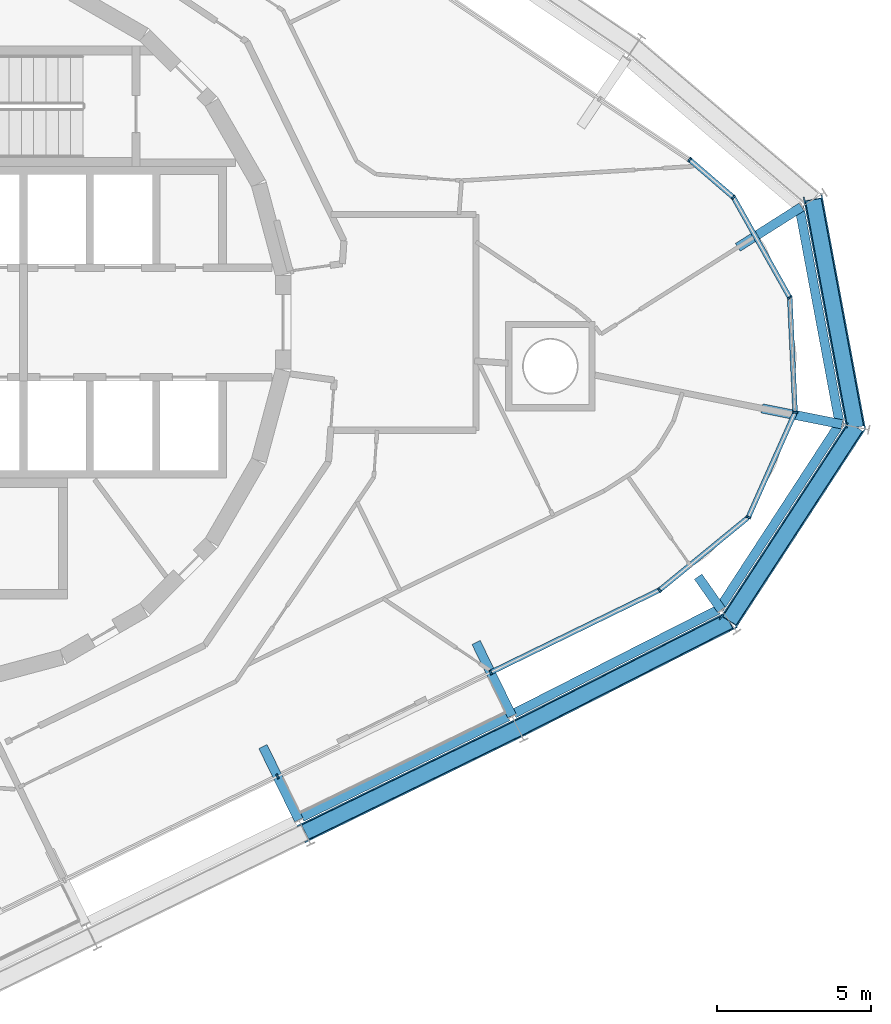
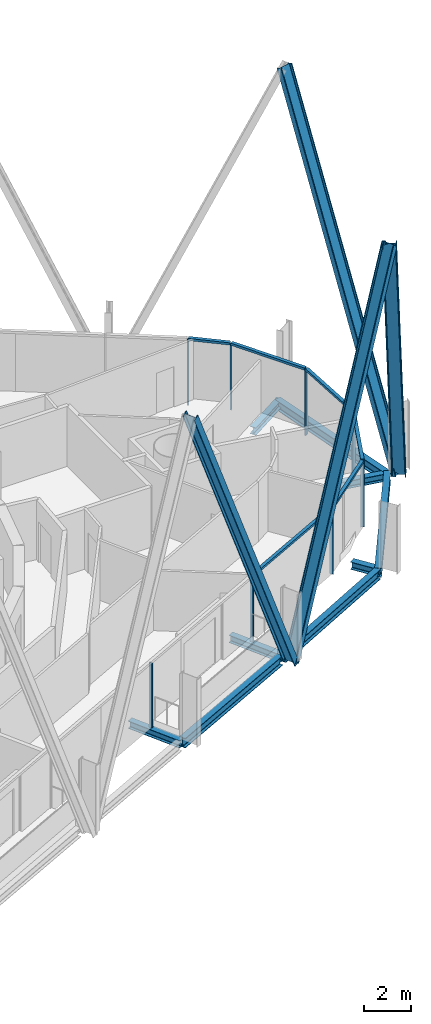
# One storey, part 5 of 18: 18 members, 9 beams, 2 elements without a shape of their own.
"""IFC4 building model written with IfcOpenShell, lengths in metres."""

from ifc_helpers import new_model, si_unit, direction, frame, origin, origin_2d, place, context, subcontext, project, spatial, rectangle, i_section, extrude, material, layer, layer_set, material_profile, profile_set, type_object, element, aggregate, save


model = new_model("IFC4")

# Units and contexts
model_context = context("Model", 3, precision=1e-05, world=origin(), true_north=direction((0.0, 1.0)))
body_context = subcontext(model_context, "Body", "Model", "MODEL_VIEW")
ifc_project = project(units=[si_unit("LENGTHUNIT", "METRE"), si_unit("AREAUNIT", "SQUARE_METRE"), si_unit("VOLUMEUNIT", "CUBIC_METRE"), si_unit("PLANEANGLEUNIT", "RADIAN"), si_unit("MASSUNIT", "GRAM", prefix="KILO")], contexts=[model_context])

# Site, building, storey
site_placement = place(None, origin())
site = spatial("IfcSite", under=ifc_project, at=site_placement, CompositionType="ELEMENT")
building_placement = place(site_placement, origin())
building = spatial("IfcBuilding", under=site, at=building_placement, Name="Spindle Arch Residences", CompositionType="ELEMENT")
storey_placement = place(building_placement, frame((0.0, 0.0, 202.39990234375)))
storey = spatial("IfcBuildingStorey", under=building, at=storey_placement, Name="L51", CompositionType="ELEMENT", Elevation=202.39990234375)

# Curtain wall, members
ifc_material_1 = material(Name="Aluminium bronze unitised frame with tinted glass", Category="aluminium")
ifc_layer_1 = layer(ifc_material_1, 0.159912109375)
ifc_layer_set_1 = layer_set([ifc_layer_1], Name="CW-D corner wall on the fillet arcs")
curtain_wall_type_1 = type_object("IfcCurtainWallType", Name="CW-D corner wall on the fillet arcs", PredefinedType="NOTDEFINED", material=ifc_layer_set_1)
curtain_wall_1_placement = place(storey_placement, origin())
curtain_wall_1 = element("IfcCurtainWall", 1, at=curtain_wall_1_placement, inside=storey, type_object=curtain_wall_type_1, Name="CW-D L51 run 1", PredefinedType="NOTDEFINED")
ifc_material_2 = material(Name="Aluminium bronze anodised mullion", Category="aluminium")
ifc_material_profile_1 = material_profile(ifc_material_2, rectangle(XDim=0.159912109375, YDim=0.06005859375, at=origin_2d()), Name="MU 60x160")
ifc_profile_set_1 = profile_set([ifc_material_profile_1], Name="Aluminium bronze anodised mullion")
member_type_1 = type_object("IfcMemberType", Name="Bronze mullion 60x160", PredefinedType="MULLION", material=ifc_profile_set_1)
member_1_placement = place(storey_placement, frame((18.377685546875, -11.353515625, -0.3798828125), z_axis=(0.0, 0.0, 1.0), x_axis=(-0.438371146789, 0.898794046299, 0.0)))
member_1 = element("IfcMember", 2, at=member_1_placement, type_object=member_type_1, Name="CW-D mullion 00", PredefinedType="MULLION", context=body_context, shape_type="SweptSolid", body=[
    extrude(rectangle(XDim=0.159912109375, YDim=0.06005859375, at=origin_2d()), origin(), (0.0, 0.0, 1.0), 3.3798828125),
])
member_2_placement = place(storey_placement, frame((23.85400390625, -8.6826171875, -0.3798828125), z_axis=(0.0, 0.0, 1.0), x_axis=(-0.633830963722, 0.773471595747, 0.0)))
member_2 = element("IfcMember", 3, at=member_2_placement, type_object=member_type_1, Name="CW-D mullion 01", PredefinedType="MULLION", context=body_context, shape_type="SweptSolid", body=[
    extrude(rectangle(XDim=0.159912109375, YDim=0.06005859375, at=origin_2d()), origin(), (0.0, 0.0, 1.0), 3.3798828125),
])
member_3_placement = place(storey_placement, frame((26.736572265625, -6.320556640625, -0.3798828125), z_axis=(0.0, 0.0, 1.0), x_axis=(-0.913545457934, 0.406736642422, 0.0)))
member_3 = element("IfcMember", 4, at=member_3_placement, type_object=member_type_1, Name="CW-D mullion 02", PredefinedType="MULLION", context=body_context, shape_type="SweptSolid", body=[
    extrude(rectangle(XDim=0.159912109375, YDim=0.06005859375, at=origin_2d()), origin(), (0.0, 0.0, 1.0), 3.3798828125),
])
member_4_placement = place(storey_placement, frame((28.252197265625, -2.916015625, -0.3798828125), z_axis=(0.0, 0.0, 1.0), x_axis=(-0.99891711126, -0.046525313877, 0.0)))
member_4 = element("IfcMember", 5, at=member_4_placement, type_object=member_type_1, Name="CW-D mullion 03", PredefinedType="MULLION", context=body_context, shape_type="SweptSolid", body=[
    extrude(rectangle(XDim=0.159912109375, YDim=0.06005859375, at=origin_2d()), origin(), (0.0, 0.0, 1.0), 3.3798828125),
])
member_5_placement = place(storey_placement, frame((28.078857421875, 0.806884765625, -0.3798828125), z_axis=(0.0, 0.0, 1.0), x_axis=(-0.871784414743, -0.489889716377, 0.0)))
member_5 = element("IfcMember", 6, at=member_5_placement, type_object=member_type_1, Name="CW-D mullion 04", PredefinedType="MULLION", context=body_context, shape_type="SweptSolid", body=[
    extrude(rectangle(XDim=0.159912109375, YDim=0.06005859375, at=origin_2d()), origin(), (0.0, 0.0, 1.0), 3.3798828125),
])
member_6_placement = place(storey_placement, frame((26.253173828125, 4.0556640625, -0.3798828125), z_axis=(0.0, 0.0, 1.0), x_axis=(-0.651657229382, -0.758513582867, 0.0)))
member_6 = element("IfcMember", 7, at=member_6_placement, type_object=member_type_1, Name="CW-D mullion 05", PredefinedType="MULLION", context=body_context, shape_type="SweptSolid", body=[
    extrude(rectangle(XDim=0.159912109375, YDim=0.06005859375, at=origin_2d()), origin(), (0.0, 0.0, 1.0), 3.3798828125),
])
member_7_placement = place(storey_placement, frame((24.830078125, 5.2783203125, -0.3798828125), z_axis=(0.0, 0.0, 1.0), x_axis=(-0.559192903471, -0.829037572555, 0.0)))
member_7 = element("IfcMember", 8, at=member_7_placement, type_object=member_type_1, Name="CW-D mullion 06", PredefinedType="MULLION", context=body_context, shape_type="SweptSolid", body=[
    extrude(rectangle(XDim=0.159912109375, YDim=0.06005859375, at=origin_2d()), origin(), (0.0, 0.0, 1.0), 3.3798828125),
])

# Curtain wall, member
ifc_material_3 = material(Name="Aluminium bronze unitised frame with tinted glass", Category="aluminium")
ifc_layer_2 = layer(ifc_material_3, 0.159912109375)
ifc_layer_set_2 = layer_set([ifc_layer_2], Name="CW-C typical residential unitised wall")
curtain_wall_type_2 = type_object("IfcCurtainWallType", Name="CW-C typical residential unitised wall", PredefinedType="NOTDEFINED", material=ifc_layer_set_2)
curtain_wall_2_placement = place(storey_placement, origin())
curtain_wall_2 = element("IfcCurtainWall", 9, at=curtain_wall_2_placement, inside=storey, type_object=curtain_wall_type_2, Name="CW-C L51 run 6", PredefinedType="NOTDEFINED")
member_8_placement = place(storey_placement, frame((11.46240234375, -14.726318359375, -0.3798828125), z_axis=(0.0, 0.0, 1.0), x_axis=(-0.438371146789, 0.898794046299, 0.0)))
member_8 = element("IfcMember", 10, at=member_8_placement, type_object=member_type_1, Name="CW-C mullion 00", PredefinedType="MULLION", context=body_context, shape_type="SweptSolid", body=[
    extrude(rectangle(XDim=0.159912109375, YDim=0.06005859375, at=origin_2d()), origin(), (0.0, 0.0, 1.0), 3.3798828125),
])
aggregate(curtain_wall_2, [member_8])

# Member
ifc_material_4 = material(Name="Aluminium bronze anodised transom", Category="aluminium")
ifc_material_profile_2 = material_profile(ifc_material_4, rectangle(XDim=0.159912109375, YDim=0.1201171875, at=origin_2d()), Name="TR 120x160")
ifc_profile_set_2 = profile_set([ifc_material_profile_2], Name="Aluminium bronze anodised transom")
member_type_2 = type_object("IfcMemberType", Name="Bronze transom 120x160", PredefinedType="USERDEFINED", material=ifc_profile_set_2)
member_9_placement = place(storey_placement, frame((18.404541015625, -11.340576171875, 3.06005859375), z_axis=(0.898786724344, 0.438386158704, 0.0), x_axis=(-0.438386158704, 0.898786724344, 0.0)))
member_9 = element("IfcMember", 11, at=member_9_placement, type_object=member_type_2, Name="CW-D transom 00", ObjectType="TRANSOM", PredefinedType="USERDEFINED", context=body_context, shape_type="SweptSolid", body=[
    extrude(rectangle(XDim=0.159912109375, YDim=0.1201171875, at=origin_2d()), origin(), (0.0, 0.0, 1.0), 6.032958984375),
])

member_10_placement = place(storey_placement, frame((23.877197265625, -8.66357421875, 3.06005859375), z_axis=(0.773494307947, 0.633803246737, 0.0), x_axis=(-0.633803246737, 0.773494307947, 0.0)))
member_10 = element("IfcMember", 12, at=member_10_placement, type_object=member_type_2, Name="CW-D transom 01", ObjectType="TRANSOM", PredefinedType="USERDEFINED", context=body_context, shape_type="SweptSolid", body=[
    extrude(rectangle(XDim=0.159912109375, YDim=0.1201171875, at=origin_2d()), origin(), (0.0, 0.0, 1.0), 3.666748046875),
])

member_11_placement = place(storey_placement, frame((26.748779296875, -6.29296875, 3.06005859375), z_axis=(0.406706770356, 0.913558757249, 0.0), x_axis=(-0.913558757249, 0.406706770356, 0.0)))
member_11 = element("IfcMember", 13, at=member_11_placement, type_object=member_type_2, Name="CW-D transom 02", ObjectType="TRANSOM", PredefinedType="USERDEFINED", context=body_context, shape_type="SweptSolid", body=[
    extrude(rectangle(XDim=0.159912109375, YDim=0.1201171875, at=origin_2d()), origin(), (0.0, 0.0, 1.0), 3.66650390625),
])

member_12_placement = place(storey_placement, frame((28.2509765625, -2.885986328125, 3.06005859375), z_axis=(-0.046540197037, 0.998916417955, 0.0), x_axis=(-0.998916417955, -0.046540197037, 0.0)))
member_12 = element("IfcMember", 14, at=member_12_placement, type_object=member_type_2, Name="CW-D transom 03", ObjectType="TRANSOM", PredefinedType="USERDEFINED", context=body_context, shape_type="SweptSolid", body=[
    extrude(rectangle(XDim=0.159912109375, YDim=0.1201171875, at=origin_2d()), origin(), (0.0, 0.0, 1.0), 3.666748046875),
])

member_13_placement = place(storey_placement, frame((28.064208984375, 0.8330078125, 3.06005859375), z_axis=(-0.489916630118, 0.871769290314, 0.0), x_axis=(-0.871769290314, -0.489916630118, 0.0)))
member_13 = element("IfcMember", 15, at=member_13_placement, type_object=member_type_2, Name="CW-D transom 04", ObjectType="TRANSOM", PredefinedType="USERDEFINED", context=body_context, shape_type="SweptSolid", body=[
    extrude(rectangle(XDim=0.159912109375, YDim=0.1201171875, at=origin_2d()), origin(), (0.0, 0.0, 1.0), 3.666748046875),
])

member_14_placement = place(storey_placement, frame((26.23046875, 4.0751953125, 3.06005859375), z_axis=(-0.758458936913, 0.651720830584, 0.0), x_axis=(-0.651720830584, -0.758458936913, 0.0)))
member_14 = element("IfcMember", 16, at=member_14_placement, type_object=member_type_2, Name="CW-D transom 05", ObjectType="TRANSOM", PredefinedType="USERDEFINED", context=body_context, shape_type="SweptSolid", body=[
    extrude(rectangle(XDim=0.159912109375, YDim=0.1201171875, at=origin_2d()), origin(), (0.0, 0.0, 1.0), 1.816162109375),
])

aggregate(curtain_wall_1, [member_1, member_9, member_2, member_10, member_3, member_11, member_4, member_12, member_5, member_13, member_6, member_14, member_7])

# Members
ifc_material_5 = material(Name="Steel S460ML, intumescent coating R 240", Category="steel")
ifc_material_profile_3 = material_profile(ifc_material_5, i_section(OverallWidth=0.304931640625, OverallDepth=0.6201171875, WebThickness=0.02099609375, FlangeThickness=0.0400390625, FilletRadius=0.027099609375, at=origin_2d()), Name="HEM 600")
ifc_profile_set_3 = profile_set([ifc_material_profile_3], Name="Steel S460ML, intumescent coating R 240")
member_type_3 = type_object("IfcMemberType", Name="Diagrid diagonal HEM 600", PredefinedType="BRACE", material=ifc_profile_set_3)
member_15_placement = place(storey_placement, frame((19.26318359375, -13.169189453125, -0.6298828125), z_axis=(-0.365713117458, -0.178369875293, 0.913475836192), x_axis=(0.821026935046, 0.400440851109, 0.40689297941)))
element("IfcMember", 17, at=member_15_placement, inside=storey, type_object=member_type_3, Name="Diagrid diagonal 5.2.1", PredefinedType="BRACE", context=body_context, shape_type="SweptSolid", body=[
    extrude(i_section(OverallWidth=0.304931640625, OverallDepth=0.6201171875, WebThickness=0.02099609375, FlangeThickness=0.0400390625, FilletRadius=0.027099609375, at=origin_2d()), origin(), (0.0, 0.0, 1.0), 18.908935546875),
])
member_16_placement = place(storey_placement, frame((19.26318359375, -13.169189453125, -0.6298828125), z_axis=(0.362492430868, 0.184254933601, 0.913591460669), x_axis=(-0.814419249655, -0.413969374228, 0.406633302858)))
element("IfcMember", 18, at=member_16_placement, inside=storey, type_object=member_type_3, Name="Diagrid diagonal 5.2.2", PredefinedType="BRACE", context=body_context, shape_type="SweptSolid", body=[
    extrude(i_section(OverallWidth=0.304931640625, OverallDepth=0.6201171875, WebThickness=0.02099609375, FlangeThickness=0.0400390625, FilletRadius=0.027099609375, at=origin_2d()), origin(), (0.0, 0.0, 1.0), 18.90673828125),
])
member_17_placement = place(storey_placement, frame((30.217041015625, -3.39501953125, -0.6298828125), z_axis=(-0.21770380154, -0.333989648734, 0.917091036557), x_axis=(0.500790809906, 0.768286752487, 0.398677853243)))
element("IfcMember", 19, at=member_17_placement, inside=storey, type_object=member_type_3, Name="Diagrid diagonal 5.2.3", PredefinedType="BRACE", context=body_context, shape_type="SweptSolid", body=[
    extrude(i_section(OverallWidth=0.304931640625, OverallDepth=0.6201171875, WebThickness=0.02099609375, FlangeThickness=0.0400390625, FilletRadius=0.027099609375, at=origin_2d()), origin(), (0.0, 0.0, 1.0), 18.83447265625),
])
member_18_placement = place(storey_placement, frame((30.217041015625, -3.39501953125, -0.6298828125), z_axis=(-0.07299084531, 0.391954747025, 0.917084408757), x_axis=(0.16789547243, -0.901584673297, 0.39869309903)))
element("IfcMember", 20, at=member_18_placement, inside=storey, type_object=member_type_3, Name="Diagrid diagonal 5.2.4", PredefinedType="BRACE", context=body_context, shape_type="SweptSolid", body=[
    extrude(i_section(OverallWidth=0.304931640625, OverallDepth=0.6201171875, WebThickness=0.02099609375, FlangeThickness=0.0400390625, FilletRadius=0.027099609375, at=origin_2d()), origin(), (0.0, 0.0, 1.0), 18.834716796875),
])

# Beams
ifc_material_6 = material(Name="Steel S460ML, intumescent coating R 120", Category="steel")
ifc_material_profile_4 = material_profile(ifc_material_6, i_section(OverallWidth=0.300048828125, OverallDepth=0.5, WebThickness=0.014404296875, FlangeThickness=0.028076171875, FilletRadius=0.027099609375, at=origin_2d()), Name="HEB 500")
ifc_profile_set_4 = profile_set([ifc_material_profile_4], Name="Steel S460ML, intumescent coating R 120")
beam_type_1 = type_object("IfcBeamType", Name="Exoskeleton edge beam HEB 500", PredefinedType="BEAM", material=ifc_profile_set_4)
beam_1_placement = place(storey_placement, frame((12.25, -16.04443359375, -0.6298828125), z_axis=(0.898804110297, 0.438350511935, 0.0), x_axis=(-0.438350511935, 0.898804110297, 0.0)))
element("IfcBeam", 21, at=beam_1_placement, inside=storey, type_object=beam_type_1, Name="Exoskeleton edge beam 1", PredefinedType="BEAM", context=body_context, shape_type="SweptSolid", body=[
    extrude(i_section(OverallWidth=0.300048828125, OverallDepth=0.5, WebThickness=0.014404296875, FlangeThickness=0.028076171875, FilletRadius=0.027099609375, at=origin_2d()), origin(), (0.0, 0.0, 1.0), 7.43359375),
])
beam_2_placement = place(storey_placement, frame((19.1298828125, -12.688232421875, -0.6298828125), z_axis=(0.891456240157, 0.453106799646, 0.0), x_axis=(-0.453106799646, 0.891456240157, 0.0)))
element("IfcBeam", 22, at=beam_2_placement, inside=storey, type_object=beam_type_1, Name="Exoskeleton edge beam 2", PredefinedType="BEAM", context=body_context, shape_type="SweptSolid", body=[
    extrude(i_section(OverallWidth=0.300048828125, OverallDepth=0.5, WebThickness=0.014404296875, FlangeThickness=0.028076171875, FilletRadius=0.027099609375, at=origin_2d()), origin(), (0.0, 0.0, 1.0), 7.427978515625),
])
beam_3_placement = place(storey_placement, frame((25.777099609375, -9.30908203125, -0.6298828125), z_axis=(0.546059217501, 0.837746579212, 0.0), x_axis=(-0.837746579212, 0.546059217501, 0.0)))
element("IfcBeam", 23, at=beam_3_placement, inside=storey, type_object=beam_type_1, Name="Exoskeleton edge beam 3", PredefinedType="BEAM", context=body_context, shape_type="SweptSolid", body=[
    extrude(i_section(OverallWidth=0.300048828125, OverallDepth=0.5, WebThickness=0.014404296875, FlangeThickness=0.028076171875, FilletRadius=0.027099609375, at=origin_2d()), origin(), (0.0, 0.0, 1.0), 7.249267578125),
])
beam_4_placement = place(storey_placement, frame((29.71142578125, -3.356689453125, -0.6298828125), z_axis=(-0.183047966733, 0.983103983246, 0.0), x_axis=(-0.983103983246, -0.183047966733, 0.0)))
element("IfcBeam", 24, at=beam_4_placement, inside=storey, type_object=beam_type_1, Name="Exoskeleton edge beam 4", PredefinedType="BEAM", context=body_context, shape_type="SweptSolid", body=[
    extrude(i_section(OverallWidth=0.300048828125, OverallDepth=0.5, WebThickness=0.014404296875, FlangeThickness=0.028076171875, FilletRadius=0.027099609375, at=origin_2d()), origin(), (0.0, 0.0, 1.0), 7.2490234375),
])
ifc_material_7 = material(Name="Steel S460ML, intumescent coating R 120", Category="steel")
ifc_material_profile_5 = material_profile(ifc_material_7, i_section(OverallWidth=0.300048828125, OverallDepth=0.389892578125, WebThickness=0.010986328125, FlangeThickness=0.01904296875, FilletRadius=0.027099609375, at=origin_2d()), Name="HEA 400")
ifc_profile_set_5 = profile_set([ifc_material_profile_5], Name="Steel S460ML, intumescent coating R 120")
beam_type_2 = type_object("IfcBeamType", Name="Floor outrigger HEA 400", PredefinedType="BEAM", material=ifc_profile_set_5)
beam_5_placement = place(storey_placement, frame((12.150634765625, -16.137451171875, -0.574951171875), z_axis=(-0.438347395329, 0.898805630272, 0.0), x_axis=(-0.898805630272, -0.438347395329, 0.0)))
element("IfcBeam", 25, at=beam_5_placement, inside=storey, type_object=beam_type_2, Name="Floor outrigger 1", PredefinedType="BEAM", context=body_context, shape_type="SweptSolid", body=[
    extrude(i_section(OverallWidth=0.300048828125, OverallDepth=0.389892578125, WebThickness=0.010986328125, FlangeThickness=0.01904296875, FilletRadius=0.027099609375, at=origin_2d()), origin(), (0.0, 0.0, 1.0), 2.64990234375),
])
beam_6_placement = place(storey_placement, frame((19.06591796875, -12.7646484375, -0.574951171875), z_axis=(-0.438421816972, 0.898769331032, 0.0), x_axis=(-0.898769331032, -0.438421816972, 0.0)))
element("IfcBeam", 26, at=beam_6_placement, inside=storey, type_object=beam_type_2, Name="Floor outrigger 2", PredefinedType="BEAM", context=body_context, shape_type="SweptSolid", body=[
    extrude(i_section(OverallWidth=0.300048828125, OverallDepth=0.389892578125, WebThickness=0.010986328125, FlangeThickness=0.01904296875, FilletRadius=0.027099609375, at=origin_2d()), origin(), (0.0, 0.0, 1.0), 2.650146484375),
])
beam_7_placement = place(storey_placement, frame((25.858154296875, -9.3173828125, -0.574951171875), z_axis=(-0.574827287121, 0.818274764356, 0.0), x_axis=(-0.818274764356, -0.574827287121, 0.0)))
element("IfcBeam", 27, at=beam_7_placement, inside=storey, type_object=beam_type_2, Name="Floor outrigger 3", PredefinedType="BEAM", context=body_context, shape_type="SweptSolid", body=[
    extrude(i_section(OverallWidth=0.300048828125, OverallDepth=0.389892578125, WebThickness=0.010986328125, FlangeThickness=0.01904296875, FilletRadius=0.027099609375, at=origin_2d()), origin(), (0.0, 0.0, 1.0), 1.3076171875),
])
beam_8_placement = place(storey_placement, frame((29.775634765625, -3.306884765625, -0.574951171875), z_axis=(-0.980704498332, 0.195496002392, 0.0), x_axis=(-0.195496002392, -0.980704498332, 0.0)))
element("IfcBeam", 28, at=beam_8_placement, inside=storey, type_object=beam_type_2, Name="Floor outrigger 4", PredefinedType="BEAM", context=body_context, shape_type="SweptSolid", body=[
    extrude(i_section(OverallWidth=0.300048828125, OverallDepth=0.389892578125, WebThickness=0.010986328125, FlangeThickness=0.01904296875, FilletRadius=0.027099609375, at=origin_2d()), origin(), (0.0, 0.0, 1.0), 2.64990234375),
])
beam_9_placement = place(storey_placement, frame((28.46240234375, 3.746337890625, -0.574951171875), z_axis=(-0.844575652312, -0.535436240388, 0.0), x_axis=(0.535436240388, -0.844575652312, 0.0)))
element("IfcBeam", 29, at=beam_9_placement, inside=storey, type_object=beam_type_2, Name="Floor outrigger 5", PredefinedType="BEAM", context=body_context, shape_type="SweptSolid", body=[
    extrude(i_section(OverallWidth=0.300048828125, OverallDepth=0.389892578125, WebThickness=0.010986328125, FlangeThickness=0.01904296875, FilletRadius=0.027099609375, at=origin_2d()), origin(), (0.0, 0.0, 1.0), 2.448974609375),
])

save(model, "model.ifc")
